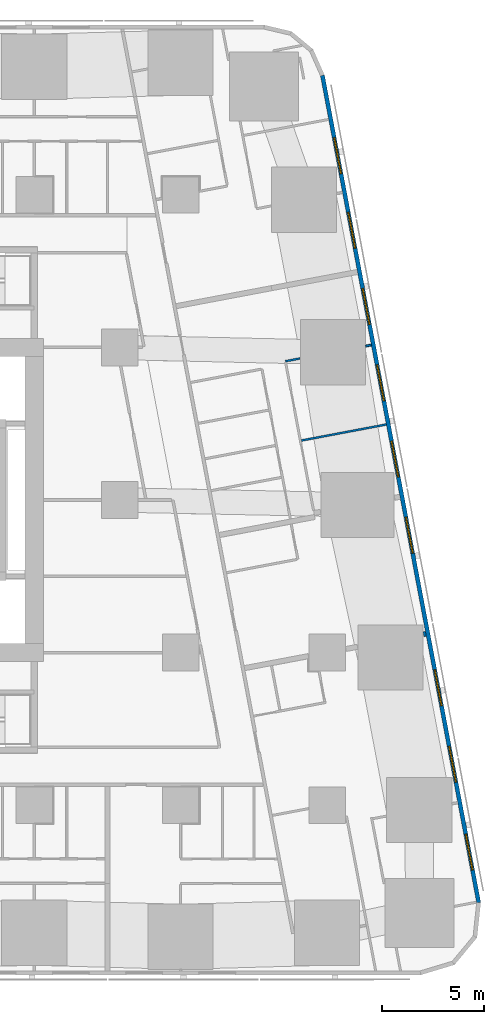
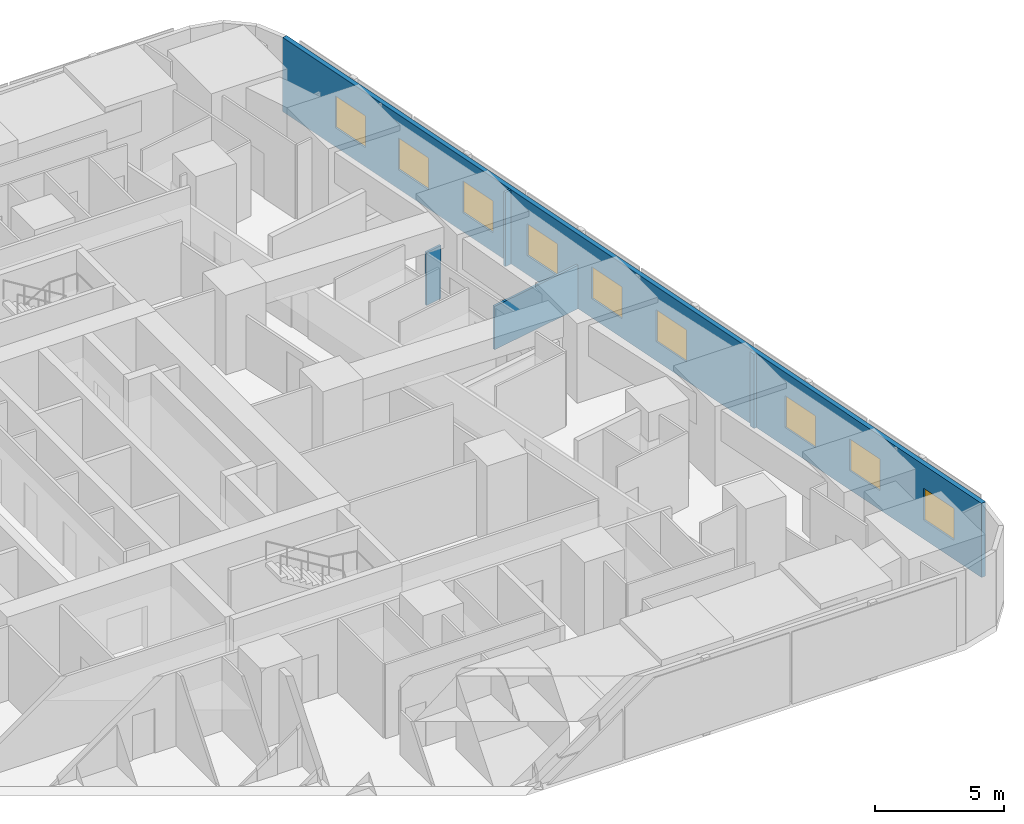
# One storey, part 11 of 18: 9 windows, 5 walls, 9 openings.
"""IFC4 building model written with IfcOpenShell, lengths in metres."""

from ifc_helpers import new_model, si_unit, direction, frame, frame_2d, origin, place, context, subcontext, project, spatial, rectangle, extrude, material, layer, layer_set, type_object, element, fill, save


model = new_model("IFC4")

# Units and contexts
model_context = context("Model", 3, precision=1e-05, world=origin(), true_north=direction((0.0, 1.0)))
body_context = subcontext(model_context, "Body", "Model", "MODEL_VIEW")
ifc_project = project(units=[si_unit("LENGTHUNIT", "METRE"), si_unit("AREAUNIT", "SQUARE_METRE"), si_unit("VOLUMEUNIT", "CUBIC_METRE"), si_unit("PLANEANGLEUNIT", "RADIAN"), si_unit("MASSUNIT", "GRAM", prefix="KILO")], contexts=[model_context])

# Site, building, storey
site_placement = place(None, origin())
site = spatial("IfcSite", under=ifc_project, at=site_placement, CompositionType="ELEMENT")
building_placement = place(site_placement, origin())
building = spatial("IfcBuilding", under=site, at=building_placement, Name="Sheger Commons Tower", CompositionType="ELEMENT")
storey_placement = place(building_placement, frame((0.0, 0.0, 20.0)))
storey = spatial("IfcBuildingStorey", under=building, at=storey_placement, Name="L04", CompositionType="ELEMENT", Elevation=20.0)

# Wall
ifc_material_1 = material(Name="Dense concrete block masonry, plastered both sides (separating wall between flats)", Category="masonry")
ifc_layer_1 = layer(ifc_material_1, 0.25)
ifc_layer_set_1 = layer_set([ifc_layer_1], Name="DEMISING WALL 250")
wall_type_1 = type_object("IfcWallType", Name="DEMISING WALL 250", PredefinedType="SOLIDWALL", material=ifc_layer_set_1)
wall_1_placement = place(storey_placement, frame((48.054931640625, 15.9169921875, 0.0), z_axis=(0.0, 0.0, 1.0), x_axis=(-0.98280243359, -0.184660164975, 0.0)))
element("IfcWall", 1, at=wall_1_placement, inside=storey, type_object=wall_type_1, Name="Demising wall L04", PredefinedType="SOLIDWALL", context=body_context, shape_type="SweptSolid", body=[
    extrude(rectangle(XDim=0.118896484375, YDim=0.25, at=frame_2d((0.0595703125, 0.0))), origin(), (0.0, 0.0, 1.0), 3.5),
])

# Wall, openings, windows
ifc_material_2 = material(Name="Rendered concrete block masonry, dark grey", Category="masonry")
ifc_layer_2 = layer(ifc_material_2, 0.199951171875)
ifc_layer_set_2 = layer_set([ifc_layer_2], Name="FACADE WALL 200")
wall_type_2 = type_object("IfcWallType", Name="FACADE WALL 200", PredefinedType="SOLIDWALL", material=ifc_layer_set_2)
wall_2_placement = place(storey_placement, frame((50.653076171875, 2.702880859375, 0.0), z_axis=(0.0, 0.0, 1.0), x_axis=(-0.185612026696, 0.982623109613, 0.0)))
wall_2 = element("IfcWall", 2, at=wall_2_placement, inside=storey, type_object=wall_type_2, Name="Facade wall L04", PredefinedType="SOLIDWALL", context=body_context, shape_type="SweptSolid", body=[
    extrude(rectangle(XDim=41.393310546875, YDim=0.199951171875, at=frame_2d((20.69677734375, 0.0))), origin(), (0.0, 0.0, 1.0), 3.5),
])
opening_1_placement = place(wall_2_placement, frame((1.633056640625, 0.0, 0.89990234375)))
opening_1 = element("IfcOpeningElement", 3, at=opening_1_placement, cuts=wall_2, Name="Opening W2", PredefinedType="OPENING", context=body_context, shape_type="SweptSolid", body=[
    extrude(rectangle(XDim=1.800048828125, YDim=1.5, at=frame_2d((0.89990234375, 0.75))), frame((0.0, 0.10986328125, 0.0), z_axis=(0.0, -1.0, 0.0), x_axis=(1.0, 0.0, 0.0)), (0.0, 0.0, 1.0), 0.219970703125),
])
opening_2_placement = place(wall_2_placement, frame((6.031982421875, 0.0, 0.89990234375)))
opening_2 = element("IfcOpeningElement", 4, at=opening_2_placement, cuts=wall_2, Name="Opening W2", PredefinedType="OPENING", context=body_context, shape_type="SweptSolid", body=[
    extrude(rectangle(XDim=1.800048828125, YDim=1.5, at=frame_2d((0.89990234375, 0.75))), frame((0.0, 0.10986328125, 0.0), z_axis=(0.0, -1.0, 0.0), x_axis=(1.0, 0.0, 0.0)), (0.0, 0.0, 1.0), 0.219970703125),
])
opening_3_placement = place(wall_2_placement, frame((9.847900390625, 0.0, 0.89990234375)))
opening_3 = element("IfcOpeningElement", 5, at=opening_3_placement, cuts=wall_2, Name="Opening W2", PredefinedType="OPENING", context=body_context, shape_type="SweptSolid", body=[
    extrude(rectangle(XDim=1.800048828125, YDim=1.5, at=frame_2d((0.89990234375, 0.75))), frame((0.0, 0.10986328125, 0.0), z_axis=(0.0, -1.0, 0.0), x_axis=(1.0, 0.0, 0.0)), (0.0, 0.0, 1.0), 0.219970703125),
])
opening_4_placement = place(wall_2_placement, frame((17.48095703125, 0.0, 0.89990234375)))
opening_4 = element("IfcOpeningElement", 6, at=opening_4_placement, cuts=wall_2, Name="Opening W2", PredefinedType="OPENING", context=body_context, shape_type="SweptSolid", body=[
    extrude(rectangle(XDim=1.800048828125, YDim=1.5, at=frame_2d((0.89990234375, 0.75))), frame((0.0, 0.10986328125, 0.0), z_axis=(0.0, -1.0, 0.0), x_axis=(1.0, 0.0, 0.0)), (0.0, 0.0, 1.0), 0.219970703125),
])
opening_5_placement = place(wall_2_placement, frame((21.297119140625, 0.0, 0.89990234375)))
opening_5 = element("IfcOpeningElement", 7, at=opening_5_placement, cuts=wall_2, Name="Opening W2", PredefinedType="OPENING", context=body_context, shape_type="SweptSolid", body=[
    extrude(rectangle(XDim=1.800048828125, YDim=1.5, at=frame_2d((0.89990234375, 0.75))), frame((0.0, 0.10986328125, 0.0), z_axis=(0.0, -1.0, 0.0), x_axis=(1.0, 0.0, 0.0)), (0.0, 0.0, 1.0), 0.219970703125),
])
opening_6_placement = place(wall_2_placement, frame((25.113037109375, 0.0, 0.89990234375)))
opening_6 = element("IfcOpeningElement", 8, at=opening_6_placement, cuts=wall_2, Name="Opening W2", PredefinedType="OPENING", context=body_context, shape_type="SweptSolid", body=[
    extrude(rectangle(XDim=1.800048828125, YDim=1.5, at=frame_2d((0.89990234375, 0.75))), frame((0.0, 0.10986328125, 0.0), z_axis=(0.0, -1.0, 0.0), x_axis=(1.0, 0.0, 0.0)), (0.0, 0.0, 1.0), 0.219970703125),
])
opening_7_placement = place(wall_2_placement, frame((28.929931640625, 0.0, 0.89990234375)))
opening_7 = element("IfcOpeningElement", 9, at=opening_7_placement, cuts=wall_2, Name="Opening W2", PredefinedType="OPENING", context=body_context, shape_type="SweptSolid", body=[
    extrude(rectangle(XDim=1.800048828125, YDim=1.5, at=frame_2d((0.89990234375, 0.75))), frame((0.0, 0.10986328125, 0.0), z_axis=(0.0, -1.0, 0.0), x_axis=(1.0, 0.0, 0.0)), (0.0, 0.0, 1.0), 0.219970703125),
])
opening_8_placement = place(wall_2_placement, frame((32.74609375, 0.0, 0.89990234375)))
opening_8 = element("IfcOpeningElement", 10, at=opening_8_placement, cuts=wall_2, Name="Opening W2", PredefinedType="OPENING", context=body_context, shape_type="SweptSolid", body=[
    extrude(rectangle(XDim=1.800048828125, YDim=1.5, at=frame_2d((0.89990234375, 0.75))), frame((0.0, 0.10986328125, 0.0), z_axis=(0.0, -1.0, 0.0), x_axis=(1.0, 0.0, 0.0)), (0.0, 0.0, 1.0), 0.219970703125),
])
opening_9_placement = place(wall_2_placement, frame((36.48095703125, 0.0, 0.89990234375)))
opening_9 = element("IfcOpeningElement", 11, at=opening_9_placement, cuts=wall_2, Name="Opening W2", PredefinedType="OPENING", context=body_context, shape_type="SweptSolid", body=[
    extrude(rectangle(XDim=1.800048828125, YDim=1.5, at=frame_2d((0.89990234375, 0.75))), frame((0.0, 0.10986328125, 0.0), z_axis=(0.0, -1.0, 0.0), x_axis=(1.0, 0.0, 0.0)), (0.0, 0.0, 1.0), 0.219970703125),
])
ifc_material_3 = material(Name="Black aluminium frame, dark tinted double glazing", Category="aluminium")
window_type = type_object("IfcWindowType", Name="WINDOW W2 1800x1500", PartitioningType="SINGLE_PANEL", PredefinedType="WINDOW", material=ifc_material_3)
window_1_placement = place(opening_1_placement, origin())
window_1 = element("IfcWindow", 12, at=window_1_placement, inside=storey, type_object=window_type, Name="Window W2 1800X1500", OverallHeight=1.5, OverallWidth=1.800048828125, PartitioningType="SINGLE_PANEL", PredefinedType="WINDOW", context=body_context, shape_type="SweptSolid", body=[
    extrude(rectangle(XDim=1.800048828125, YDim=1.5, at=frame_2d((0.89990234375, 0.75))), frame((0.0, 0.030029296875, 0.0), z_axis=(0.0, -1.0, 0.0), x_axis=(1.0, 0.0, 0.0)), (0.0, 0.0, 1.0), 0.06005859375),
])
fill(opening_1, window_1)
window_2_placement = place(opening_2_placement, origin())
window_2 = element("IfcWindow", 13, at=window_2_placement, inside=storey, type_object=window_type, Name="Window W2 1800X1500", OverallHeight=1.5, OverallWidth=1.800048828125, PartitioningType="SINGLE_PANEL", PredefinedType="WINDOW", context=body_context, shape_type="SweptSolid", body=[
    extrude(rectangle(XDim=1.800048828125, YDim=1.5, at=frame_2d((0.89990234375, 0.75))), frame((0.0, 0.030029296875, 0.0), z_axis=(0.0, -1.0, 0.0), x_axis=(1.0, 0.0, 0.0)), (0.0, 0.0, 1.0), 0.06005859375),
])
fill(opening_2, window_2)
window_3_placement = place(opening_3_placement, origin())
window_3 = element("IfcWindow", 14, at=window_3_placement, inside=storey, type_object=window_type, Name="Window W2 1800X1500", OverallHeight=1.5, OverallWidth=1.800048828125, PartitioningType="SINGLE_PANEL", PredefinedType="WINDOW", context=body_context, shape_type="SweptSolid", body=[
    extrude(rectangle(XDim=1.800048828125, YDim=1.5, at=frame_2d((0.89990234375, 0.75))), frame((0.0, 0.030029296875, 0.0), z_axis=(0.0, -1.0, 0.0), x_axis=(1.0, 0.0, 0.0)), (0.0, 0.0, 1.0), 0.06005859375),
])
fill(opening_3, window_3)
window_4_placement = place(opening_4_placement, origin())
window_4 = element("IfcWindow", 15, at=window_4_placement, inside=storey, type_object=window_type, Name="Window W2 1800X1500", OverallHeight=1.5, OverallWidth=1.800048828125, PartitioningType="SINGLE_PANEL", PredefinedType="WINDOW", context=body_context, shape_type="SweptSolid", body=[
    extrude(rectangle(XDim=1.800048828125, YDim=1.5, at=frame_2d((0.89990234375, 0.75))), frame((0.0, 0.030029296875, 0.0), z_axis=(0.0, -1.0, 0.0), x_axis=(1.0, 0.0, 0.0)), (0.0, 0.0, 1.0), 0.06005859375),
])
fill(opening_4, window_4)
window_5_placement = place(opening_5_placement, origin())
window_5 = element("IfcWindow", 16, at=window_5_placement, inside=storey, type_object=window_type, Name="Window W2 1800X1500", OverallHeight=1.5, OverallWidth=1.800048828125, PartitioningType="SINGLE_PANEL", PredefinedType="WINDOW", context=body_context, shape_type="SweptSolid", body=[
    extrude(rectangle(XDim=1.800048828125, YDim=1.5, at=frame_2d((0.89990234375, 0.75))), frame((0.0, 0.030029296875, 0.0), z_axis=(0.0, -1.0, 0.0), x_axis=(1.0, 0.0, 0.0)), (0.0, 0.0, 1.0), 0.06005859375),
])
fill(opening_5, window_5)
window_6_placement = place(opening_6_placement, origin())
window_6 = element("IfcWindow", 17, at=window_6_placement, inside=storey, type_object=window_type, Name="Window W2 1800X1500", OverallHeight=1.5, OverallWidth=1.800048828125, PartitioningType="SINGLE_PANEL", PredefinedType="WINDOW", context=body_context, shape_type="SweptSolid", body=[
    extrude(rectangle(XDim=1.800048828125, YDim=1.5, at=frame_2d((0.89990234375, 0.75))), frame((0.0, 0.030029296875, 0.0), z_axis=(0.0, -1.0, 0.0), x_axis=(1.0, 0.0, 0.0)), (0.0, 0.0, 1.0), 0.06005859375),
])
fill(opening_6, window_6)
window_7_placement = place(opening_7_placement, origin())
window_7 = element("IfcWindow", 18, at=window_7_placement, inside=storey, type_object=window_type, Name="Window W2 1800X1500", OverallHeight=1.5, OverallWidth=1.800048828125, PartitioningType="SINGLE_PANEL", PredefinedType="WINDOW", context=body_context, shape_type="SweptSolid", body=[
    extrude(rectangle(XDim=1.800048828125, YDim=1.5, at=frame_2d((0.89990234375, 0.75))), frame((0.0, 0.030029296875, 0.0), z_axis=(0.0, -1.0, 0.0), x_axis=(1.0, 0.0, 0.0)), (0.0, 0.0, 1.0), 0.06005859375),
])
fill(opening_7, window_7)
window_8_placement = place(opening_8_placement, origin())
window_8 = element("IfcWindow", 19, at=window_8_placement, inside=storey, type_object=window_type, Name="Window W2 1800X1500", OverallHeight=1.5, OverallWidth=1.800048828125, PartitioningType="SINGLE_PANEL", PredefinedType="WINDOW", context=body_context, shape_type="SweptSolid", body=[
    extrude(rectangle(XDim=1.800048828125, YDim=1.5, at=frame_2d((0.89990234375, 0.75))), frame((0.0, 0.030029296875, 0.0), z_axis=(0.0, -1.0, 0.0), x_axis=(1.0, 0.0, 0.0)), (0.0, 0.0, 1.0), 0.06005859375),
])
fill(opening_8, window_8)
window_9_placement = place(opening_9_placement, origin())
window_9 = element("IfcWindow", 20, at=window_9_placement, inside=storey, type_object=window_type, Name="Window W2 1800X1500", OverallHeight=1.5, OverallWidth=1.800048828125, PartitioningType="SINGLE_PANEL", PredefinedType="WINDOW", context=body_context, shape_type="SweptSolid", body=[
    extrude(rectangle(XDim=1.800048828125, YDim=1.5, at=frame_2d((0.89990234375, 0.75))), frame((0.0, 0.030029296875, 0.0), z_axis=(0.0, -1.0, 0.0), x_axis=(1.0, 0.0, 0.0)), (0.0, 0.0, 1.0), 0.06005859375),
])
fill(opening_9, window_9)

# Walls
ifc_material_4 = material(Name="Gypsum board on steel studs", Category="steel")
ifc_layer_3 = layer(ifc_material_4, 0.10009765625)
ifc_layer_set_3 = layer_set([ifc_layer_3], Name="PARTITION 100")
wall_type_3 = type_object("IfcWallType", Name="PARTITION 100", PredefinedType="PARTITIONING", material=ifc_layer_set_3)
wall_3_placement = place(storey_placement, frame((45.3720703125, 30.12109375, 0.0), z_axis=(0.0, 0.0, 1.0), x_axis=(-0.982024635814, -0.188752787143, 0.0)))
element("IfcWall", 21, at=wall_3_placement, inside=storey, type_object=wall_type_3, Name="Partition L04", PredefinedType="PARTITIONING", context=body_context, shape_type="SweptSolid", body=[
    extrude(rectangle(XDim=0.287109375, YDim=0.10009765625, at=frame_2d((0.1435546875, 0.0))), origin(), (0.0, 0.0, 1.0), 3.5),
])
wall_4_placement = place(storey_placement, frame((41.8701171875, 29.458984375, 0.0), z_axis=(0.0, 0.0, 1.0), x_axis=(-0.982532562822, -0.186090738603, 0.0)))
element("IfcWall", 22, at=wall_4_placement, inside=storey, type_object=wall_type_3, Name="Partition L04", PredefinedType="PARTITIONING", context=body_context, shape_type="SweptSolid", body=[
    extrude(rectangle(XDim=0.736083984375, YDim=0.10009765625, at=frame_2d((0.3681640625, 0.0))), origin(), (0.0, 0.0, 1.0), 2.5),
])
wall_5_placement = place(storey_placement, frame((46.110107421875, 26.212890625, 0.0), z_axis=(0.0, 0.0, 1.0), x_axis=(-0.982623519589, -0.185609856287, 0.0)))
element("IfcWall", 23, at=wall_5_placement, inside=storey, type_object=wall_type_3, Name="Partition L04", PredefinedType="PARTITIONING", context=body_context, shape_type="SweptSolid", body=[
    extrude(rectangle(XDim=4.249755859375, YDim=0.10009765625, at=frame_2d((2.125, 0.0))), origin(), (0.0, 0.0, 1.0), 2.050048828125),
])

save(model, "model.ifc")
